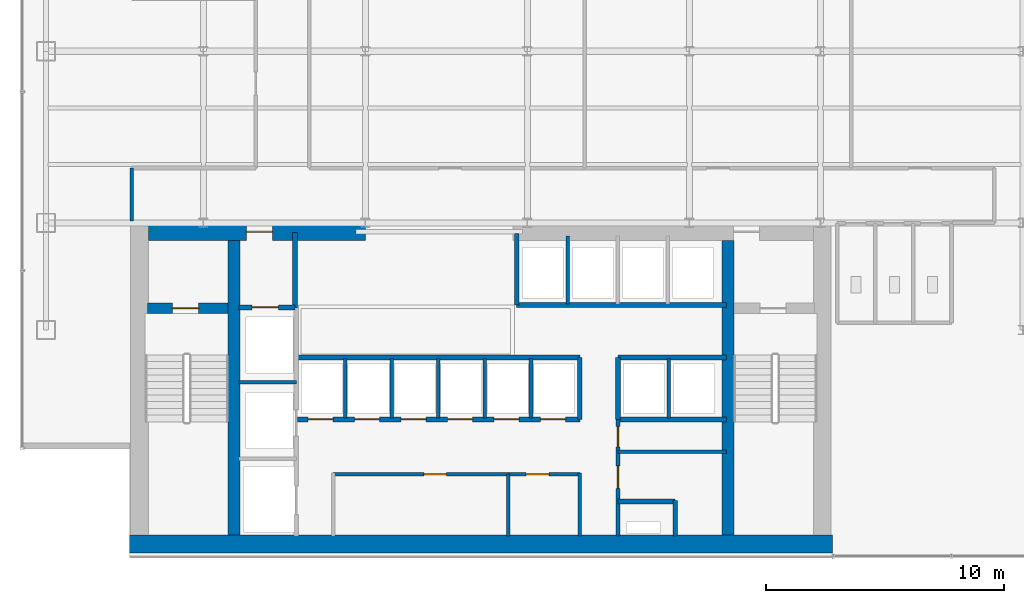
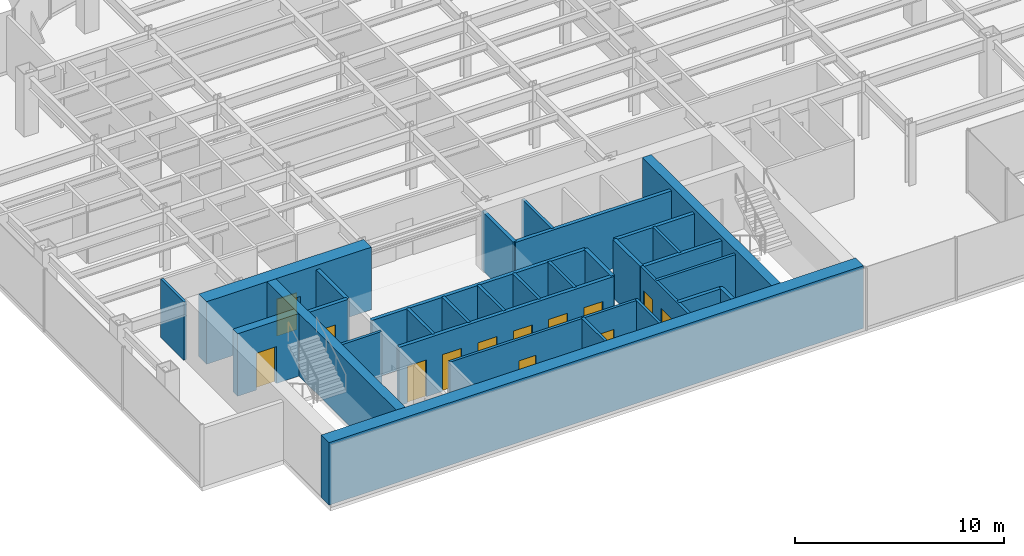
# One storey, part 21 of 26: 31 walls, 13 doors, 13 openings.
"""IFC4 building model written with IfcOpenShell, lengths in metres."""

from ifc_helpers import new_model, si_unit, derived_unit, direction, frame, frame_2d, origin, place, context, subcontext, project, spatial, rectangle, extrude, source, transform, mapped, material, layer, layer_set, type_object, element, fill, save


model = new_model("IFC4")

# Units and contexts
model_context = context("Model", 3, precision=1e-05, world=origin(), true_north=direction((0.0, 1.0)))
body_context = subcontext(model_context, "Body", "Model", "MODEL_VIEW")
ifc_project = project(units=[si_unit("LENGTHUNIT", "METRE"), si_unit("AREAUNIT", "SQUARE_METRE"), si_unit("VOLUMEUNIT", "CUBIC_METRE"), si_unit("PLANEANGLEUNIT", "RADIAN"), si_unit("MASSUNIT", "GRAM", prefix="KILO"), derived_unit("THERMALTRANSMITTANCEUNIT", [(si_unit("POWERUNIT", "WATT"), 1), (si_unit("LENGTHUNIT", "METRE"), -2), (si_unit("THERMODYNAMICTEMPERATUREUNIT", "KELVIN"), -1)])], contexts=[model_context])

# Site, building, storey
site_placement = place(None, origin())
site = spatial("IfcSite", under=ifc_project, at=site_placement, CompositionType="ELEMENT")
building_placement = place(site_placement, origin())
building = spatial("IfcBuilding", under=site, at=building_placement, Name="Skarnbrae Concourse Arena and Tower", CompositionType="ELEMENT")
storey_placement = place(building_placement, frame((0.0, 0.0, 106.89990234375)))
storey = spatial("IfcBuildingStorey", under=building, at=storey_placement, Name="L26", CompositionType="ELEMENT", Elevation=106.89990234375)

# Wall, opening, door
ifc_material_1 = material(Name="Concrete 50 MPa (C50/60)", Category="concrete")
ifc_layer_1 = layer(ifc_material_1, 0.449951171875)
ifc_layer_set_1 = layer_set([ifc_layer_1], Name="Concrete 50 MPa (C50/60)")
wall_type_1 = type_object("IfcWallType", Name="WALL-CORE-450-C50", PredefinedType="SHEAR", material=ifc_layer_set_1)
shared_shape_1 = source(origin(), body_context, "Body", "SweptSolid", [
    extrude(rectangle(XDim=3.389892578125, YDim=0.449951171875, at=frame_2d((1.69482421875, 0.0))), origin(), (0.0, 0.0, 1.0), 3.650146484375),
])
wall_1_placement = place(storey_placement, frame((5.25, 10.419921875, 0.0), z_axis=(0.0, 0.0, 1.0), x_axis=(1.0, 0.0, 0.0)))
wall_1 = element("IfcWall", 1, at=wall_1_placement, inside=storey, type_object=wall_type_1, Name="L26 Rear core shear wall CW-ST1-N", PredefinedType="SHEAR", context=body_context, shape_type="MappedRepresentation", body=[
    mapped(shared_shape_1, transform((0.0, 0.0, 0.0))),
])
opening_1_placement = place(wall_1_placement, frame((1.050048828125, 0.0, 0.0)))
opening_1 = element("IfcOpeningElement", 2, at=opening_1_placement, cuts=wall_1, Name="Opening DT-03", PredefinedType="OPENING", context=body_context, shape_type="SweptSolid", body=[
    extrude(rectangle(XDim=1.10009765625, YDim=2.14990234375, at=frame_2d((0.550048828125, 1.074951171875))), frame((0.0, 0.23486328125, 0.0), z_axis=(0.0, -1.0, 0.0), x_axis=(1.0, 0.0, 0.0)), (0.0, 0.0, 1.0), 0.469970703125),
])
ifc_material_2 = material(Name="Steel CSA G40.21 350W", Category="steel")
door_type_1 = type_object("IfcDoorType", Name="DOOR-FIRE-1100-90M", OperationType="NOTDEFINED", PredefinedType="DOOR", material=ifc_material_2)
shared_shape_2 = source(origin(), body_context, "Body", "SweptSolid", [
    extrude(rectangle(XDim=1.10009765625, YDim=2.14990234375, at=frame_2d((0.550048828125, 1.074951171875))), frame((0.0, 0.02490234375, 0.0), z_axis=(0.0, -1.0, 0.0), x_axis=(1.0, 0.0, 0.0)), (0.0, 0.0, 1.0), 0.050048828125),
])
door_1_placement = place(opening_1_placement, frame((1.10009765625, 0.0, 0.0), z_axis=(0.0, 0.0, 1.0), x_axis=(-1.0, 0.0, 0.0)))
door_1 = element("IfcDoor", 3, at=door_1_placement, inside=storey, type_object=door_type_1, Name="D-0867 Stair ST-1 Door", OperationType="SINGLE_SWING_LEFT", OverallHeight=2.14990234375, OverallWidth=1.10009765625, PredefinedType="DOOR", context=body_context, shape_type="MappedRepresentation", body=[
    mapped(shared_shape_2, transform((0.0, 0.0, 0.0))),
])
fill(opening_1, door_1)

# Wall
ifc_material_3 = material(Name="Concrete 60 MPa (C60/75)", Category="concrete")
ifc_layer_2 = layer(ifc_material_3, 0.75)
ifc_layer_set_2 = layer_set([ifc_layer_2], Name="Concrete 60 MPa (C60/75)")
wall_type_2 = type_object("IfcWallType", Name="WALL-CORE-750-C60", PredefinedType="SHEAR", material=ifc_layer_set_2)
shared_shape_3 = source(origin(), body_context, "Body", "SweptSolid", [
    extrude(rectangle(XDim=29.5, YDim=0.75, at=frame_2d((14.75, 0.0))), origin(), (0.0, 0.0, 1.0), 3.650146484375),
])
wall_2_placement = place(storey_placement, frame((4.5, 0.52490234375, 0.0), z_axis=(0.0, 0.0, 1.0), x_axis=(1.0, 0.0, 0.0)))
element("IfcWall", 4, at=wall_2_placement, inside=storey, type_object=wall_type_2, Name="L26 Rear core shear wall CW-S", PredefinedType="SHEAR", context=body_context, shape_type="MappedRepresentation", body=[
    mapped(shared_shape_3, transform((0.0, 0.0, 0.0))),
])

# Wall, opening, door
shared_shape_4 = source(origin(), body_context, "Body", "SweptSolid", [
    extrude(rectangle(XDim=9.099853515625, YDim=0.75, at=frame_2d((4.5498046875, 0.0))), origin(), (0.0, 0.0, 1.0), 3.650146484375),
])
wall_3_placement = place(storey_placement, frame((5.300048828125, 13.625, 0.0), z_axis=(0.0, 0.0, 1.0), x_axis=(1.0, 0.0, 0.0)))
wall_3 = element("IfcWall", 5, at=wall_3_placement, inside=storey, type_object=wall_type_2, Name="L26 Rear core shear wall CW-NW", PredefinedType="SHEAR", context=body_context, shape_type="MappedRepresentation", body=[
    mapped(shared_shape_4, transform((0.0, 0.0, 0.0))),
])
opening_2_placement = place(wall_3_placement, frame((4.10009765625, 0.0, 0.0)))
opening_2 = element("IfcOpeningElement", 6, at=opening_2_placement, cuts=wall_3, Name="Opening DT-03", PredefinedType="OPENING", context=body_context, shape_type="SweptSolid", body=[
    extrude(rectangle(XDim=1.10009765625, YDim=2.14990234375, at=frame_2d((0.550048828125, 1.074951171875))), frame((0.0, 0.385009765625, 0.0), z_axis=(0.0, -1.0, 0.0), x_axis=(1.0, 0.0, 0.0)), (0.0, 0.0, 1.0), 0.77001953125),
])
door_2_placement = place(opening_2_placement, origin())
door_2 = element("IfcDoor", 7, at=door_2_placement, inside=storey, type_object=door_type_1, Name="D-0869 Firefighting Lobby Exit Door", OperationType="SINGLE_SWING_RIGHT", OverallHeight=2.14990234375, OverallWidth=1.10009765625, PredefinedType="DOOR", context=body_context, shape_type="MappedRepresentation", body=[
    mapped(shared_shape_2, transform((0.0, 0.0, 0.0))),
])
fill(opening_2, door_2)

# Walls
ifc_layer_3 = layer(ifc_material_3, 0.5)
ifc_layer_set_3 = layer_set([ifc_layer_3], Name="Concrete 60 MPa (C60/75)")
wall_type_3 = type_object("IfcWallType", Name="WALL-CORE-500-C60", PredefinedType="SHEAR", material=ifc_layer_set_3)
shared_shape_5 = source(origin(), body_context, "Body", "SweptSolid", [
    extrude(rectangle(XDim=12.35009765625, YDim=0.5, at=frame_2d((6.175048828125, 0.0))), origin(), (0.0, 0.0, 1.0), 3.650146484375),
])
for number, where, z_axis, x_axis, name in (
    (8, (8.889892578125, 0.89990234375, 0.0), (0.0, 0.0, 1.0), (0.0, 1.0, 0.0), "L26 Rear core shear wall CW-WEB-W"),
    (9, (29.610107421875, 0.89990234375, 0.0), (0.0, 0.0, 1.0), (0.0, 1.0, 0.0), "L26 Rear core shear wall CW-WEB-E"),
):
    element("IfcWall", number, at=place(storey_placement, frame(where, z_axis=z_axis, x_axis=x_axis)), inside=storey, type_object=wall_type_3, Name=name, PredefinedType="SHEAR", context=body_context, shape_type="MappedRepresentation", body=[
        mapped(shared_shape_5, transform((0.0, 0.0, 0.0))),
    ])
ifc_material_4 = material(Name="Gypsum board on cold-formed steel studs", Category="steel")
ifc_layer_4 = layer(ifc_material_4, 0.199951171875)
ifc_layer_set_4 = layer_set([ifc_layer_4], Name="Gypsum board on cold-formed steel studs")
wall_type_4 = type_object("IfcWallType", Name="WALL-PART-200-2HR", PredefinedType="PARTITIONING", material=ifc_layer_set_4)
shared_shape_6 = source(origin(), body_context, "Body", "SweptSolid", [
    extrude(rectangle(XDim=3.18017578125, YDim=0.199951171875, at=frame_2d((1.590087890625, 0.0))), origin(), (0.0, 0.0, 1.0), 3.400146484375),
])
wall_4_placement = place(storey_placement, frame((11.449951171875, 10.419921875, 0.0), z_axis=(0.0, 0.0, 1.0), x_axis=(0.0, 1.0, 0.0)))
element("IfcWall", 10, at=wall_4_placement, inside=storey, type_object=wall_type_4, Name="L26 Interior partition wall W-L26-FFL-E", PredefinedType="PARTITIONING", context=body_context, shape_type="MappedRepresentation", body=[
    mapped(shared_shape_6, transform((0.0, 0.0, 0.0))),
])

# Wall, opening, door
shared_shape_7 = source(origin(), body_context, "Body", "SweptSolid", [
    extrude(rectangle(XDim=2.349853515625, YDim=0.199951171875, at=frame_2d((1.1748046875, 0.0))), origin(), (0.0, 0.0, 1.0), 3.400146484375),
])
wall_5_placement = place(storey_placement, frame((9.10009765625, 10.449951171875, 0.0), z_axis=(0.0, 0.0, 1.0), x_axis=(1.0, 0.0, 0.0)))
wall_5 = element("IfcWall", 11, at=wall_5_placement, inside=storey, type_object=wall_type_4, Name="L26 Interior partition wall W-L26-FL1-N", PredefinedType="PARTITIONING", context=body_context, shape_type="MappedRepresentation", body=[
    mapped(shared_shape_7, transform((0.0, 0.0, 0.0))),
])
opening_3_placement = place(wall_5_placement, frame((0.550048828125, 0.0, 0.0)))
opening_3 = element("IfcOpeningElement", 12, at=opening_3_placement, cuts=wall_5, Name="Opening LD-01", PredefinedType="OPENING", context=body_context, shape_type="SweptSolid", body=[
    extrude(rectangle(XDim=1.10009765625, YDim=2.14990234375, at=frame_2d((0.550048828125, 1.074951171875))), frame((0.0, 0.10986328125, 0.0), z_axis=(0.0, -1.0, 0.0), x_axis=(1.0, 0.0, 0.0)), (0.0, 0.0, 1.0), 0.219970703125),
])
door_type_2 = type_object("IfcDoorType", Name="DOOR-LIFT-SLIDE-1100", OperationType="SLIDING_TO_LEFT", PredefinedType="DOOR", material=ifc_material_2)
door_3_placement = place(opening_3_placement, origin())
door_3 = element("IfcDoor", 13, at=door_3_placement, inside=storey, type_object=door_type_2, Name="D-0871 Firefighting Lift Landing Door FL-01", OperationType="SLIDING_TO_LEFT", OverallHeight=2.14990234375, OverallWidth=1.10009765625, PredefinedType="DOOR", context=body_context, shape_type="MappedRepresentation", body=[
    mapped(shared_shape_2, transform((0.0, 0.0, 0.0))),
])
fill(opening_3, door_3)

# Walls
ifc_layer_5 = layer(ifc_material_4, 0.14990234375)
ifc_layer_set_5 = layer_set([ifc_layer_5], Name="Gypsum board on cold-formed steel studs")
wall_type_5 = type_object("IfcWallType", Name="WALL-PART-150", PredefinedType="PARTITIONING", material=ifc_layer_set_5)
shared_shape_8 = source(origin(), body_context, "Body", "SweptSolid", [
    extrude(rectangle(XDim=2.39990234375, YDim=0.14990234375, at=frame_2d((1.199951171875, 0.0))), origin(), (0.0, 0.0, 1.0), 3.400146484375),
])
wall_6_placement = place(storey_placement, frame((9.10009765625, 7.300048828125, 0.0), z_axis=(0.0, 0.0, 1.0), x_axis=(1.0, 0.0, 0.0)))
element("IfcWall", 14, at=wall_6_placement, inside=storey, type_object=wall_type_5, Name="L26 Interior partition wall W-L26-FL-D2", PredefinedType="PARTITIONING", context=body_context, shape_type="MappedRepresentation", body=[
    mapped(shared_shape_8, transform((0.0, 0.0, 0.0))),
])
shared_shape_9 = source(origin(), body_context, "Body", "SweptSolid", [
    extrude(rectangle(XDim=2.599853515625, YDim=0.14990234375, at=frame_2d((1.2998046875, 0.0))), origin(), (0.0, 0.0, 1.0), 3.400146484375),
])
wall_7_placement = place(storey_placement, frame((20.39990234375, 0.85009765625, 0.0), z_axis=(0.0, 0.0, 1.0), x_axis=(0.0, 1.0, 0.0)))
element("IfcWall", 15, at=wall_7_placement, inside=storey, type_object=wall_type_5, Name="L26 Interior partition wall W-L26-B1M-C1", PredefinedType="PARTITIONING", context=body_context, shape_type="MappedRepresentation", body=[
    mapped(shared_shape_9, transform((0.0, 0.0, 0.0))),
])

# Wall, openings, doors
shared_shape_10 = source(origin(), body_context, "Body", "SweptSolid", [
    extrude(rectangle(XDim=11.849853515625, YDim=0.199951171875, at=frame_2d((5.9248046875, 0.0))), origin(), (0.0, 0.0, 1.0), 3.400146484375),
])
wall_8_placement = place(storey_placement, frame((11.550048828125, 5.75, 0.0), z_axis=(0.0, 0.0, 1.0), x_axis=(1.0, 0.0, 0.0)))
wall_8 = element("IfcWall", 16, at=wall_8_placement, inside=storey, type_object=wall_type_4, Name="L26 Interior partition wall W-L26-B2-S", PredefinedType="PARTITIONING", context=body_context, shape_type="MappedRepresentation", body=[
    mapped(shared_shape_10, transform((0.0, 0.0, 0.0))),
])
opening_4_placement = place(wall_8_placement, frame((0.449951171875, 0.0, 0.0)))
opening_4 = element("IfcOpeningElement", 17, at=opening_4_placement, cuts=wall_8, Name="Opening LD-03", PredefinedType="OPENING", context=body_context, shape_type="SweptSolid", body=[
    extrude(rectangle(XDim=1.050048828125, YDim=2.14990234375, at=frame_2d((0.52490234375, 1.074951171875))), frame((0.0, 0.10986328125, 0.0), z_axis=(0.0, -1.0, 0.0), x_axis=(1.0, 0.0, 0.0)), (0.0, 0.0, 1.0), 0.219970703125),
])
opening_5_placement = place(wall_8_placement, frame((2.39990234375, 0.0, 0.0)))
opening_5 = element("IfcOpeningElement", 18, at=opening_5_placement, cuts=wall_8, Name="Opening LD-03", PredefinedType="OPENING", context=body_context, shape_type="SweptSolid", body=[
    extrude(rectangle(XDim=1.050048828125, YDim=2.14990234375, at=frame_2d((0.52490234375, 1.074951171875))), frame((0.0, 0.10986328125, 0.0), z_axis=(0.0, -1.0, 0.0), x_axis=(1.0, 0.0, 0.0)), (0.0, 0.0, 1.0), 0.219970703125),
])
opening_6_placement = place(wall_8_placement, frame((4.35009765625, 0.0, 0.0)))
opening_6 = element("IfcOpeningElement", 19, at=opening_6_placement, cuts=wall_8, Name="Opening LD-03", PredefinedType="OPENING", context=body_context, shape_type="SweptSolid", body=[
    extrude(rectangle(XDim=1.050048828125, YDim=2.14990234375, at=frame_2d((0.52490234375, 1.074951171875))), frame((0.0, 0.10986328125, 0.0), z_axis=(0.0, -1.0, 0.0), x_axis=(1.0, 0.0, 0.0)), (0.0, 0.0, 1.0), 0.219970703125),
])
opening_7_placement = place(wall_8_placement, frame((6.300048828125, 0.0, 0.0)))
opening_7 = element("IfcOpeningElement", 20, at=opening_7_placement, cuts=wall_8, Name="Opening LD-03", PredefinedType="OPENING", context=body_context, shape_type="SweptSolid", body=[
    extrude(rectangle(XDim=1.050048828125, YDim=2.14990234375, at=frame_2d((0.52490234375, 1.074951171875))), frame((0.0, 0.10986328125, 0.0), z_axis=(0.0, -1.0, 0.0), x_axis=(1.0, 0.0, 0.0)), (0.0, 0.0, 1.0), 0.219970703125),
])
opening_8_placement = place(wall_8_placement, frame((8.25, 0.0, 0.0)))
opening_8 = element("IfcOpeningElement", 21, at=opening_8_placement, cuts=wall_8, Name="Opening LD-03", PredefinedType="OPENING", context=body_context, shape_type="SweptSolid", body=[
    extrude(rectangle(XDim=1.050048828125, YDim=2.14990234375, at=frame_2d((0.52490234375, 1.074951171875))), frame((0.0, 0.10986328125, 0.0), z_axis=(0.0, -1.0, 0.0), x_axis=(1.0, 0.0, 0.0)), (0.0, 0.0, 1.0), 0.219970703125),
])
opening_9_placement = place(wall_8_placement, frame((10.199951171875, 0.0, 0.0)))
opening_9 = element("IfcOpeningElement", 22, at=opening_9_placement, cuts=wall_8, Name="Opening LD-03", PredefinedType="OPENING", context=body_context, shape_type="SweptSolid", body=[
    extrude(rectangle(XDim=1.050048828125, YDim=2.14990234375, at=frame_2d((0.52490234375, 1.074951171875))), frame((0.0, 0.10986328125, 0.0), z_axis=(0.0, -1.0, 0.0), x_axis=(1.0, 0.0, 0.0)), (0.0, 0.0, 1.0), 0.219970703125),
])
ifc_material_5 = material(Name="Bronze anodised aluminium 6063-T6", Category="aluminium")
door_type_3 = type_object("IfcDoorType", Name="DOOR-LIFT-SLIDE-1050", OperationType="SLIDING_TO_LEFT", PredefinedType="DOOR", material=ifc_material_5)
shared_shape_11 = source(origin(), body_context, "Body", "SweptSolid", [
    extrude(rectangle(XDim=1.050048828125, YDim=2.14990234375, at=frame_2d((0.52490234375, 1.074951171875))), frame((0.0, 0.02490234375, 0.0), z_axis=(0.0, -1.0, 0.0), x_axis=(1.0, 0.0, 0.0)), (0.0, 0.0, 1.0), 0.050048828125),
])
door_4_placement = place(opening_4_placement, frame((1.050048828125, 0.0, 0.0), z_axis=(0.0, 0.0, 1.0), x_axis=(-1.0, 0.0, 0.0)))
door_4 = element("IfcDoor", 23, at=door_4_placement, inside=storey, type_object=door_type_3, Name="D-0876 Passenger Lift Landing Door PL-2A", OperationType="SLIDING_TO_LEFT", OverallHeight=2.14990234375, OverallWidth=1.050048828125, PredefinedType="DOOR", context=body_context, shape_type="MappedRepresentation", body=[
    mapped(shared_shape_11, transform((0.0, 0.0, 0.0))),
])
fill(opening_4, door_4)
door_5_placement = place(opening_5_placement, frame((1.050048828125, 0.0, 0.0), z_axis=(0.0, 0.0, 1.0), x_axis=(-1.0, 0.0, 0.0)))
door_5 = element("IfcDoor", 24, at=door_5_placement, inside=storey, type_object=door_type_3, Name="D-0877 Passenger Lift Landing Door PL-2B", OperationType="SLIDING_TO_LEFT", OverallHeight=2.14990234375, OverallWidth=1.050048828125, PredefinedType="DOOR", context=body_context, shape_type="MappedRepresentation", body=[
    mapped(shared_shape_11, transform((0.0, 0.0, 0.0))),
])
fill(opening_5, door_5)
door_6_placement = place(opening_6_placement, frame((1.050048828125, 0.0, 0.0), z_axis=(0.0, 0.0, 1.0), x_axis=(-1.0, 0.0, 0.0)))
door_6 = element("IfcDoor", 25, at=door_6_placement, inside=storey, type_object=door_type_3, Name="D-0878 Passenger Lift Landing Door PL-2C", OperationType="SLIDING_TO_LEFT", OverallHeight=2.14990234375, OverallWidth=1.050048828125, PredefinedType="DOOR", context=body_context, shape_type="MappedRepresentation", body=[
    mapped(shared_shape_11, transform((0.0, 0.0, 0.0))),
])
fill(opening_6, door_6)
door_7_placement = place(opening_7_placement, frame((1.050048828125, 0.0, 0.0), z_axis=(0.0, 0.0, 1.0), x_axis=(-1.0, 0.0, 0.0)))
door_7 = element("IfcDoor", 26, at=door_7_placement, inside=storey, type_object=door_type_3, Name="D-0879 Passenger Lift Landing Door PL-2D", OperationType="SLIDING_TO_LEFT", OverallHeight=2.14990234375, OverallWidth=1.050048828125, PredefinedType="DOOR", context=body_context, shape_type="MappedRepresentation", body=[
    mapped(shared_shape_11, transform((0.0, 0.0, 0.0))),
])
fill(opening_7, door_7)
door_8_placement = place(opening_8_placement, frame((1.050048828125, 0.0, 0.0), z_axis=(0.0, 0.0, 1.0), x_axis=(-1.0, 0.0, 0.0)))
door_8 = element("IfcDoor", 27, at=door_8_placement, inside=storey, type_object=door_type_3, Name="D-0880 Passenger Lift Landing Door PL-2E", OperationType="SLIDING_TO_LEFT", OverallHeight=2.14990234375, OverallWidth=1.050048828125, PredefinedType="DOOR", context=body_context, shape_type="MappedRepresentation", body=[
    mapped(shared_shape_11, transform((0.0, 0.0, 0.0))),
])
fill(opening_8, door_8)
door_9_placement = place(opening_9_placement, frame((1.050048828125, 0.0, 0.0), z_axis=(0.0, 0.0, 1.0), x_axis=(-1.0, 0.0, 0.0)))
door_9 = element("IfcDoor", 28, at=door_9_placement, inside=storey, type_object=door_type_3, Name="D-0881 Passenger Lift Landing Door PL-2F", OperationType="SLIDING_TO_LEFT", OverallHeight=2.14990234375, OverallWidth=1.050048828125, PredefinedType="DOOR", context=body_context, shape_type="MappedRepresentation", body=[
    mapped(shared_shape_11, transform((0.0, 0.0, 0.0))),
])
fill(opening_9, door_9)

# Walls
wall_9_placement = place(storey_placement, frame((11.550048828125, 8.35009765625, 0.0), z_axis=(0.0, 0.0, 1.0), x_axis=(1.0, 0.0, 0.0)))
element("IfcWall", 29, at=wall_9_placement, inside=storey, type_object=wall_type_4, Name="L26 Interior partition wall W-L26-B2-N", PredefinedType="PARTITIONING", context=body_context, shape_type="MappedRepresentation", body=[
    mapped(shared_shape_10, transform((0.0, 0.0, 0.0))),
])
shared_shape_12 = source(origin(), body_context, "Body", "SweptSolid", [
    extrude(rectangle(XDim=2.60009765625, YDim=0.199951171875, at=frame_2d((1.300048828125, 0.0))), origin(), (0.0, 0.0, 1.0), 3.400146484375),
])
for number, where, z_axis, x_axis, name in (
    (30, (23.39990234375, 5.75, 0.0), (0.0, 0.0, 1.0), (0.0, 1.0, 0.0), "L26 Interior partition wall W-L26-B2-E"),
    (31, (25.0, 5.75, 0.0), (0.0, 0.0, 1.0), (0.0, 1.0, 0.0), "L26 Interior partition wall W-L26-B3S-W"),
):
    element("IfcWall", number, at=place(storey_placement, frame(where, z_axis=z_axis, x_axis=x_axis)), inside=storey, type_object=wall_type_4, Name=name, PredefinedType="PARTITIONING", context=body_context, shape_type="MappedRepresentation", body=[
        mapped(shared_shape_12, transform((0.0, 0.0, 0.0))),
    ])
shared_shape_13 = source(origin(), body_context, "Body", "SweptSolid", [
    extrude(rectangle(XDim=2.5, YDim=0.14990234375, at=frame_2d((1.25, 0.0))), origin(), (0.0, 0.0, 1.0), 3.400146484375),
])
for number, where, z_axis, x_axis, name in (
    (32, (13.550048828125, 5.800048828125, 0.0), (0.0, 0.0, 1.0), (0.0, 1.0, 0.0), "L26 Interior partition wall W-L26-B2-P1"),
    (33, (15.5, 5.800048828125, 0.0), (0.0, 0.0, 1.0), (0.0, 1.0, 0.0), "L26 Interior partition wall W-L26-B2-P2"),
    (34, (17.449951171875, 5.800048828125, 0.0), (0.0, 0.0, 1.0), (0.0, 1.0, 0.0), "L26 Interior partition wall W-L26-B2-P3"),
    (35, (19.39990234375, 5.800048828125, 0.0), (0.0, 0.0, 1.0), (0.0, 1.0, 0.0), "L26 Interior partition wall W-L26-B2-P4"),
    (36, (21.35009765625, 5.800048828125, 0.0), (0.0, 0.0, 1.0), (0.0, 1.0, 0.0), "L26 Interior partition wall W-L26-B2-P5"),
    (37, (27.139892578125, 5.800048828125, 0.0), (0.0, 0.0, 1.0), (0.0, 1.0, 0.0), "L26 Interior partition wall W-L26-B3S-P1"),
):
    element("IfcWall", number, at=place(storey_placement, frame(where, z_axis=z_axis, x_axis=x_axis)), inside=storey, type_object=wall_type_5, Name=name, PredefinedType="PARTITIONING", context=body_context, shape_type="MappedRepresentation", body=[
        mapped(shared_shape_13, transform((0.0, 0.0, 0.0))),
    ])
shared_shape_14 = source(origin(), body_context, "Body", "SweptSolid", [
    extrude(rectangle(XDim=8.800048828125, YDim=0.199951171875, at=frame_2d((4.39990234375, 0.0))), origin(), (0.0, 0.0, 1.0), 3.400146484375),
])
wall_10_placement = place(storey_placement, frame((20.75, 10.550048828125, 0.0), z_axis=(0.0, 0.0, 1.0), x_axis=(1.0, 0.0, 0.0)))
element("IfcWall", 38, at=wall_10_placement, inside=storey, type_object=wall_type_4, Name="L26 Interior partition wall W-L26-B3N-S", PredefinedType="PARTITIONING", context=body_context, shape_type="MappedRepresentation", body=[
    mapped(shared_shape_14, transform((0.0, 0.0, 0.0))),
])
shared_shape_15 = source(origin(), body_context, "Body", "SweptSolid", [
    extrude(rectangle(XDim=3.0, YDim=0.199951171875, at=frame_2d((1.5, 0.0))), origin(), (0.0, 0.0, 1.0), 3.400146484375),
])
wall_11_placement = place(storey_placement, frame((20.75, 10.550048828125, 0.0), z_axis=(0.0, 0.0, 1.0), x_axis=(0.0, 1.0, 0.0)))
element("IfcWall", 39, at=wall_11_placement, inside=storey, type_object=wall_type_4, Name="L26 Interior partition wall W-L26-B3N-W", PredefinedType="PARTITIONING", context=body_context, shape_type="MappedRepresentation", body=[
    mapped(shared_shape_15, transform((0.0, 0.0, 0.0))),
])
shared_shape_16 = source(origin(), body_context, "Body", "SweptSolid", [
    extrude(rectangle(XDim=2.849853515625, YDim=0.14990234375, at=frame_2d((1.4248046875, 0.0))), origin(), (0.0, 0.0, 1.0), 3.400146484375),
])
wall_12_placement = place(storey_placement, frame((22.889892578125, 10.60009765625, 0.0), z_axis=(0.0, 0.0, 1.0), x_axis=(0.0, 1.0, 0.0)))
element("IfcWall", 40, at=wall_12_placement, inside=storey, type_object=wall_type_5, Name="L26 Interior partition wall W-L26-B3N-P1", PredefinedType="PARTITIONING", context=body_context, shape_type="MappedRepresentation", body=[
    mapped(shared_shape_16, transform((0.0, 0.0, 0.0))),
])
shared_shape_17 = source(origin(), body_context, "Body", "SweptSolid", [
    extrude(rectangle(XDim=4.550048828125, YDim=0.199951171875, at=frame_2d((2.27490234375, 0.0))), origin(), (0.0, 0.0, 1.0), 3.400146484375),
])
for number, where, z_axis, x_axis, name in (
    (41, (25.0, 8.35009765625, 0.0), (0.0, 0.0, 1.0), (1.0, 0.0, 0.0), "L26 Interior partition wall W-L26-B3S-N"),
    (42, (25.0, 5.75, 0.0), (0.0, 0.0, 1.0), (1.0, 0.0, 0.0), "L26 Interior partition wall W-L26-B3S-S"),
):
    element("IfcWall", number, at=place(storey_placement, frame(where, z_axis=z_axis, x_axis=x_axis)), inside=storey, type_object=wall_type_4, Name=name, PredefinedType="PARTITIONING", context=body_context, shape_type="MappedRepresentation", body=[
        mapped(shared_shape_17, transform((0.0, 0.0, 0.0))),
    ])

# Wall, openings, doors
ifc_layer_6 = layer(ifc_material_4, 0.14990234375)
ifc_layer_set_6 = layer_set([ifc_layer_6], Name="Gypsum board on cold-formed steel studs")
wall_type_6 = type_object("IfcWallType", Name="WALL-PART-150-1HR", PredefinedType="PARTITIONING", material=ifc_layer_set_6)
shared_shape_18 = source(origin(), body_context, "Body", "SweptSolid", [
    extrude(rectangle(XDim=4.89990234375, YDim=0.14990234375, at=frame_2d((2.449951171875, 0.0))), origin(), (0.0, 0.0, 1.0), 3.400146484375),
])
wall_13_placement = place(storey_placement, frame((25.0, 0.85009765625, 0.0), z_axis=(0.0, 0.0, 1.0), x_axis=(0.0, 1.0, 0.0)))
wall_13 = element("IfcWall", 43, at=wall_13_placement, inside=storey, type_object=wall_type_6, Name="L26 Interior partition wall W-L26-CSV-W", PredefinedType="PARTITIONING", context=body_context, shape_type="MappedRepresentation", body=[
    mapped(shared_shape_18, transform((0.0, 0.0, 0.0))),
])
opening_10_placement = place(wall_13_placement, frame((2.0, 0.0, 0.0)))
opening_10 = element("IfcOpeningElement", 44, at=opening_10_placement, cuts=wall_13, Name="Opening DT-04", PredefinedType="OPENING", context=body_context, shape_type="SweptSolid", body=[
    extrude(rectangle(XDim=0.949951171875, YDim=2.14990234375, at=frame_2d((0.47509765625, 1.074951171875))), frame((0.0, 0.0849609375, 0.0), z_axis=(0.0, -1.0, 0.0), x_axis=(1.0, 0.0, 0.0)), (0.0, 0.0, 1.0), 0.169921875),
])
opening_11_placement = place(wall_13_placement, frame((3.75, 0.0, 0.0)))
opening_11 = element("IfcOpeningElement", 45, at=opening_11_placement, cuts=wall_13, Name="Opening DT-08", PredefinedType="OPENING", context=body_context, shape_type="SweptSolid", body=[
    extrude(rectangle(XDim=0.85009765625, YDim=2.14990234375, at=frame_2d((0.425048828125, 1.074951171875))), frame((0.0, 0.0849609375, 0.0), z_axis=(0.0, -1.0, 0.0), x_axis=(1.0, 0.0, 0.0)), (0.0, 0.0, 1.0), 0.169921875),
])
door_type_4 = type_object("IfcDoorType", Name="DOOR-INT-950-45M", OperationType="NOTDEFINED", PredefinedType="DOOR", material=ifc_material_2)
shared_shape_19 = source(origin(), body_context, "Body", "SweptSolid", [
    extrude(rectangle(XDim=0.949951171875, YDim=2.14990234375, at=frame_2d((0.47509765625, 1.074951171875))), frame((0.0, 0.02490234375, 0.0), z_axis=(0.0, -1.0, 0.0), x_axis=(1.0, 0.0, 0.0)), (0.0, 0.0, 1.0), 0.050048828125),
])
door_10_placement = place(opening_10_placement, origin())
door_10 = element("IfcDoor", 46, at=door_10_placement, inside=storey, type_object=door_type_4, Name="D-0882 Telemetry Room Door", OperationType="SINGLE_SWING_LEFT", OverallHeight=2.14990234375, OverallWidth=0.949951171875, PredefinedType="DOOR", context=body_context, shape_type="MappedRepresentation", body=[
    mapped(shared_shape_19, transform((0.0, 0.0, 0.0))),
])
fill(opening_10, door_10)
door_type_5 = type_object("IfcDoorType", Name="DOOR-INT-850-45M", OperationType="NOTDEFINED", PredefinedType="DOOR", material=ifc_material_2)
shared_shape_20 = source(origin(), body_context, "Body", "SweptSolid", [
    extrude(rectangle(XDim=0.85009765625, YDim=2.14990234375, at=frame_2d((0.425048828125, 1.074951171875))), frame((0.0, 0.02490234375, 0.0), z_axis=(0.0, -1.0, 0.0), x_axis=(1.0, 0.0, 0.0)), (0.0, 0.0, 1.0), 0.050048828125),
])
door_11_placement = place(opening_11_placement, origin())
door_11 = element("IfcDoor", 47, at=door_11_placement, inside=storey, type_object=door_type_5, Name="D-0883 Recycling Room Door", OperationType="SINGLE_SWING_RIGHT", OverallHeight=2.14990234375, OverallWidth=0.85009765625, PredefinedType="DOOR", context=body_context, shape_type="MappedRepresentation", body=[
    mapped(shared_shape_20, transform((0.0, 0.0, 0.0))),
])
fill(opening_11, door_11)

# Walls
shared_shape_21 = source(origin(), body_context, "Body", "SweptSolid", [
    extrude(rectangle(XDim=2.39990234375, YDim=0.199951171875, at=frame_2d((1.199951171875, 0.0))), origin(), (0.0, 0.0, 1.0), 3.400146484375),
])
wall_14_placement = place(storey_placement, frame((25.0, 2.300048828125, 0.0), z_axis=(0.0, 0.0, 1.0), x_axis=(1.0, 0.0, 0.0)))
element("IfcWall", 48, at=wall_14_placement, inside=storey, type_object=wall_type_4, Name="L26 Interior partition wall W-L26-MEP-N", PredefinedType="PARTITIONING", context=body_context, shape_type="MappedRepresentation", body=[
    mapped(shared_shape_21, transform((0.0, 0.0, 0.0))),
])
shared_shape_22 = source(origin(), body_context, "Body", "SweptSolid", [
    extrude(rectangle(XDim=1.5, YDim=0.199951171875, at=frame_2d((0.75, 0.0))), origin(), (0.0, 0.0, 1.0), 3.400146484375),
])
wall_15_placement = place(storey_placement, frame((27.39990234375, 0.85009765625, 0.0), z_axis=(0.0, 0.0, 1.0), x_axis=(0.0, 1.0, 0.0)))
element("IfcWall", 49, at=wall_15_placement, inside=storey, type_object=wall_type_4, Name="L26 Interior partition wall W-L26-MEP-E", PredefinedType="PARTITIONING", context=body_context, shape_type="MappedRepresentation", body=[
    mapped(shared_shape_22, transform((0.0, 0.0, 0.0))),
])
shared_shape_23 = source(origin(), body_context, "Body", "SweptSolid", [
    extrude(rectangle(XDim=4.550048828125, YDim=0.14990234375, at=frame_2d((2.27490234375, 0.0))), origin(), (0.0, 0.0, 1.0), 3.400146484375),
])
wall_16_placement = place(storey_placement, frame((25.0, 4.39990234375, 0.0), z_axis=(0.0, 0.0, 1.0), x_axis=(1.0, 0.0, 0.0)))
element("IfcWall", 50, at=wall_16_placement, inside=storey, type_object=wall_type_5, Name="L26 Interior partition wall W-L26-CSV-H", PredefinedType="PARTITIONING", context=body_context, shape_type="MappedRepresentation", body=[
    mapped(shared_shape_23, transform((0.0, 0.0, 0.0))),
])
shared_shape_24 = source(origin(), body_context, "Body", "SweptSolid", [
    extrude(rectangle(XDim=2.64990234375, YDim=0.14990234375, at=frame_2d((1.324951171875, 0.0))), origin(), (0.0, 0.0, 1.0), 3.400146484375),
])
wall_17_placement = place(storey_placement, frame((23.39990234375, 0.85009765625, 0.0), z_axis=(0.0, 0.0, 1.0), x_axis=(0.0, 1.0, 0.0)))
element("IfcWall", 51, at=wall_17_placement, inside=storey, type_object=wall_type_6, Name="L26 Interior partition wall W-L26-B1M-E", PredefinedType="PARTITIONING", context=body_context, shape_type="MappedRepresentation", body=[
    mapped(shared_shape_24, transform((0.0, 0.0, 0.0))),
])

# Wall, openings, doors
shared_shape_25 = source(origin(), body_context, "Body", "SweptSolid", [
    extrude(rectangle(XDim=10.349853515625, YDim=0.14990234375, at=frame_2d((5.1748046875, 0.0))), origin(), (0.0, 0.0, 1.0), 3.400146484375),
])
wall_18_placement = place(storey_placement, frame((13.050048828125, 3.449951171875, 0.0), z_axis=(0.0, 0.0, 1.0), x_axis=(1.0, 0.0, 0.0)))
wall_18 = element("IfcWall", 52, at=wall_18_placement, inside=storey, type_object=wall_type_6, Name="L26 Interior partition wall W-L26-B1M-N", PredefinedType="PARTITIONING", context=body_context, shape_type="MappedRepresentation", body=[
    mapped(shared_shape_25, transform((0.0, 0.0, 0.0))),
])
opening_12_placement = place(wall_18_placement, frame((3.800048828125, 0.0, 0.0)))
opening_12 = element("IfcOpeningElement", 53, at=opening_12_placement, cuts=wall_18, Name="Opening DT-04", PredefinedType="OPENING", context=body_context, shape_type="SweptSolid", body=[
    extrude(rectangle(XDim=0.949951171875, YDim=2.14990234375, at=frame_2d((0.47509765625, 1.074951171875))), frame((0.0, 0.0849609375, 0.0), z_axis=(0.0, -1.0, 0.0), x_axis=(1.0, 0.0, 0.0)), (0.0, 0.0, 1.0), 0.169921875),
])
opening_13_placement = place(wall_18_placement, frame((8.10009765625, 0.0, 0.0)))
opening_13 = element("IfcOpeningElement", 54, at=opening_13_placement, cuts=wall_18, Name="Opening DT-04", PredefinedType="OPENING", context=body_context, shape_type="SweptSolid", body=[
    extrude(rectangle(XDim=0.949951171875, YDim=2.14990234375, at=frame_2d((0.47509765625, 1.074951171875))), frame((0.0, 0.0849609375, 0.0), z_axis=(0.0, -1.0, 0.0), x_axis=(1.0, 0.0, 0.0)), (0.0, 0.0, 1.0), 0.169921875),
])
door_12_placement = place(opening_12_placement, origin())
door_12 = element("IfcDoor", 55, at=door_12_placement, inside=storey, type_object=door_type_4, Name="D-0874 Staff Locker Door", OperationType="SINGLE_SWING_LEFT", OverallHeight=2.14990234375, OverallWidth=0.949951171875, PredefinedType="DOOR", context=body_context, shape_type="MappedRepresentation", body=[
    mapped(shared_shape_19, transform((0.0, 0.0, 0.0))),
])
fill(opening_12, door_12)
door_13_placement = place(opening_13_placement, origin())
door_13 = element("IfcDoor", 56, at=door_13_placement, inside=storey, type_object=door_type_4, Name="D-0875 Janitor Store Door", OperationType="SINGLE_SWING_RIGHT", OverallHeight=2.14990234375, OverallWidth=0.949951171875, PredefinedType="DOOR", context=body_context, shape_type="MappedRepresentation", body=[
    mapped(shared_shape_19, transform((0.0, 0.0, 0.0))),
])
fill(opening_13, door_13)

# Wall
shared_shape_26 = source(origin(), body_context, "Body", "SweptSolid", [
    extrude(rectangle(XDim=2.219970703125, YDim=0.14990234375, at=frame_2d((1.10986328125, 0.0))), origin(), (0.0, 0.0, 1.0), 3.400146484375),
])
wall_19_placement = place(storey_placement, frame((4.60009765625, 14.080078125, 0.0), z_axis=(0.0, 0.0, 1.0), x_axis=(0.0, 1.0, 0.0)))
element("IfcWall", 57, at=wall_19_placement, inside=storey, type_object=wall_type_6, Name="L26 Interior partition wall W-L26-COR-01", PredefinedType="PARTITIONING", context=body_context, shape_type="MappedRepresentation", body=[
    mapped(shared_shape_26, transform((0.0, 0.0, 0.0))),
])

save(model, "model.ifc")
